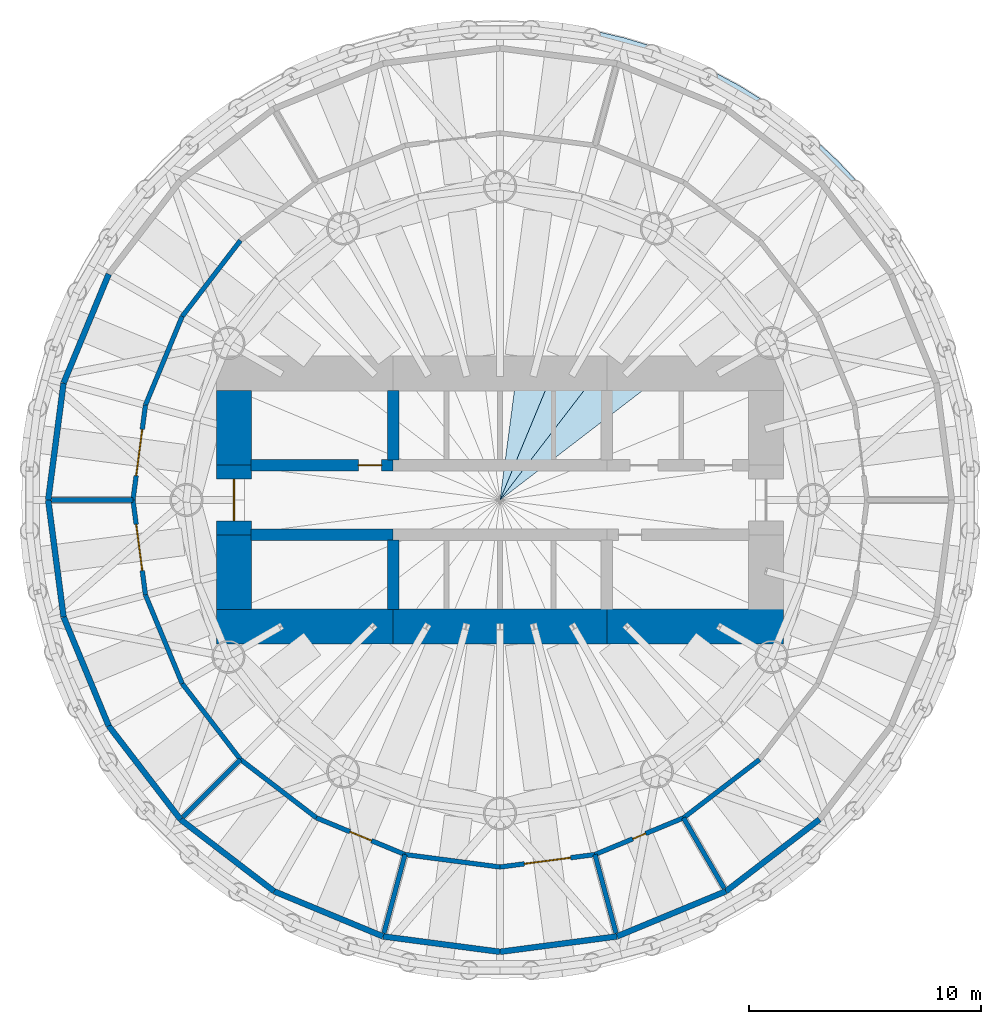
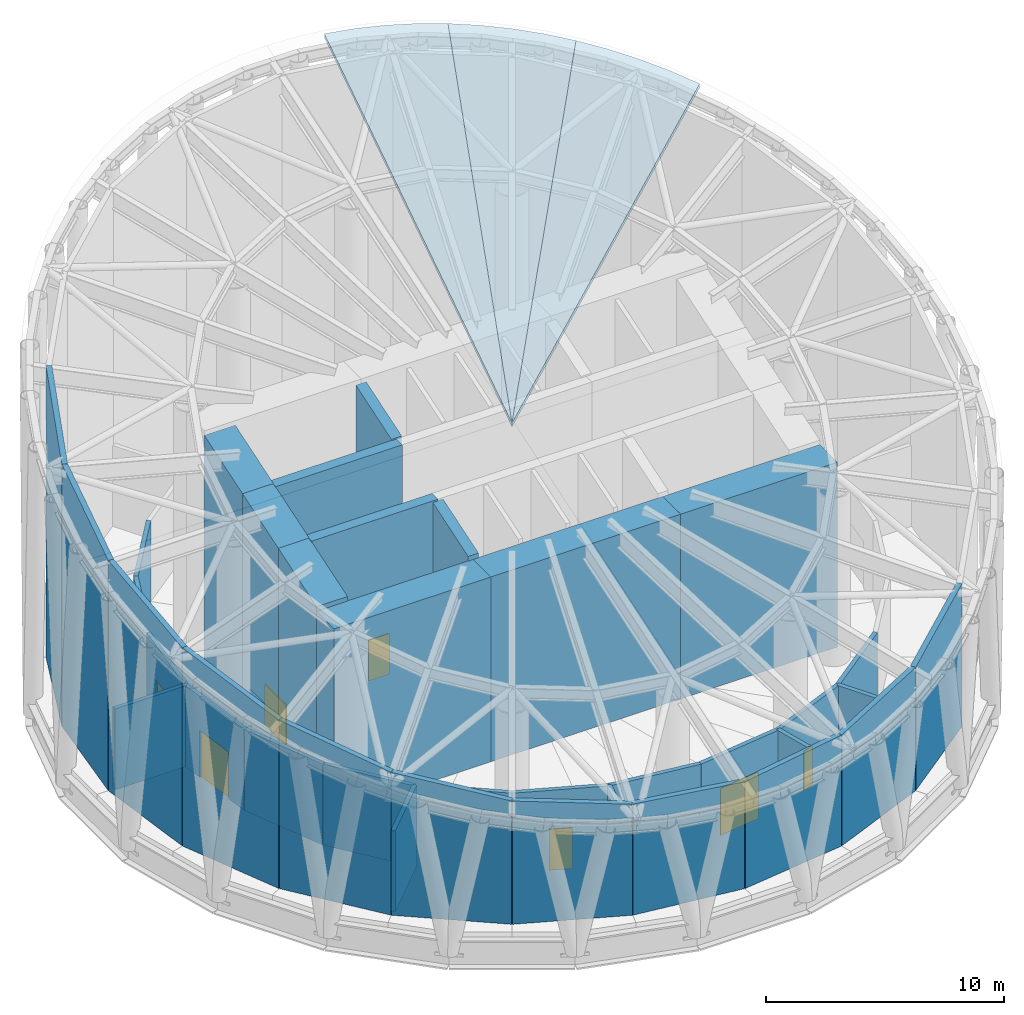
# One storey, part 7 of 9: 38 walls, 7 doors, 3 slabs, 7 openings.
"""IFC4 building model written with IfcOpenShell, lengths in metres."""

from ifc_helpers import new_model, si_unit, direction, frame, frame_2d, origin, place, context, subcontext, project, spatial, polyline, rectangle, outline, extrude, faceted_brep, material, layer, layer_set, type_object, element, fill, save


model = new_model("IFC4")

# Units and contexts
model_context = context("Model", 3, precision=1e-05, world=origin(), true_north=direction((0.0, 1.0)))
body_context = subcontext(model_context, "Body", "Model", "MODEL_VIEW")
ifc_project = project(units=[si_unit("LENGTHUNIT", "METRE"), si_unit("AREAUNIT", "SQUARE_METRE"), si_unit("VOLUMEUNIT", "CUBIC_METRE"), si_unit("PLANEANGLEUNIT", "RADIAN"), si_unit("MASSUNIT", "GRAM", prefix="KILO")], contexts=[model_context])

# Site, building, storey
site_placement = place(None, origin())
site = spatial("IfcSite", under=ifc_project, at=site_placement, CompositionType="ELEMENT")
building_placement = place(site_placement, origin())
building = spatial("IfcBuilding", under=site, at=building_placement, Name="Qaws Media Tower", CompositionType="ELEMENT")
storey_placement = place(building_placement, frame((0.0, 0.0, 286.39990234375)))
storey = spatial("IfcBuildingStorey", under=building, at=storey_placement, Name="L66", CompositionType="ELEMENT", Elevation=286.39990234375)

# Slabs
ifc_material_1 = material(Name="Concrete C35/45", Category="concrete")
ifc_layer_1 = layer(ifc_material_1, 0.199951171875)
ifc_layer_set_1 = layer_set([ifc_layer_1], Name="Crown roof slab 200")
slab_type = type_object("IfcSlabType", Name="Crown roof slab 200", PredefinedType="ROOF", material=ifc_layer_set_1)
slab_1_placement = place(storey_placement, origin())
element("IfcSlab", 1, at=slab_1_placement, inside=storey, type_object=slab_type, Name="S6 crown roof panel on R04", PredefinedType="ROOF", context=body_context, shape_type="Brep", body=[
    faceted_brep([(60.0, 50.0, 11.995849609375), (76.343017578125, 62.54052734375, 16.070556640625), (75.48779296875, 63.58251953125, 16.4091796875), (74.56640625, 64.56640625, 16.728759765625), (73.58251953125, 65.48779296875, 17.0283203125), (72.54052734375, 66.343017578125, 17.30615234375), (72.54052734375, 66.343017578125, 17.106201171875), (73.58251953125, 65.48779296875, 16.828369140625), (74.56640625, 64.56640625, 16.52880859375), (75.48779296875, 63.58251953125, 16.209228515625), (76.343017578125, 62.54052734375, 15.87060546875), (60.0, 50.0, 11.7958984375)], [[[0, 1, 2, 3, 4, 5]], [[6, 7, 8, 9, 10, 11]], [[11, 10, 1, 0]], [[10, 9, 2, 1]], [[9, 8, 3, 2]], [[8, 7, 4, 3]], [[7, 6, 5, 4]], [[6, 11, 0, 5]]]),
])
slab_2_placement = place(storey_placement, origin())
element("IfcSlab", 2, at=slab_2_placement, inside=storey, type_object=slab_type, Name="S6 crown roof panel on R05", PredefinedType="ROOF", context=body_context, shape_type="Brep", body=[
    faceted_brep([(60.0, 50.0, 11.995849609375), (72.54052734375, 66.343017578125, 17.30615234375), (71.44482421875, 67.128173828125, 17.561279296875), (70.300048828125, 67.840087890625, 17.79248046875), (69.111083984375, 68.4755859375, 17.9990234375), (67.88330078125, 69.031982421875, 18.179931640625), (67.88330078125, 69.031982421875, 17.97998046875), (69.111083984375, 68.4755859375, 17.799072265625), (70.300048828125, 67.840087890625, 17.592529296875), (71.44482421875, 67.128173828125, 17.361328125), (72.54052734375, 66.343017578125, 17.106201171875), (60.0, 50.0, 11.7958984375)], [[[0, 1, 2, 3, 4, 5]], [[6, 7, 8, 9, 10, 11]], [[11, 10, 1, 0]], [[10, 9, 2, 1]], [[9, 8, 3, 2]], [[8, 7, 4, 3]], [[7, 6, 5, 4]], [[6, 11, 0, 5]]]),
])
slab_3_placement = place(storey_placement, origin())
element("IfcSlab", 3, at=slab_3_placement, inside=storey, type_object=slab_type, Name="S6 crown roof panel on R06", PredefinedType="ROOF", context=body_context, shape_type="Brep", body=[
    faceted_brep([(60.0, 50.0, 11.995849609375), (67.88330078125, 69.031982421875, 18.179931640625), (66.62158203125, 69.5068359375, 18.333984375), (65.331787109375, 69.898193359375, 18.461181640625), (64.018798828125, 70.2041015625, 18.560791015625), (62.688720703125, 70.423828125, 18.632080078125), (62.688720703125, 70.423828125, 18.43212890625), (64.018798828125, 70.2041015625, 18.36083984375), (65.331787109375, 69.898193359375, 18.26123046875), (66.62158203125, 69.5068359375, 18.134033203125), (67.88330078125, 69.031982421875, 17.97998046875), (60.0, 50.0, 11.7958984375)], [[[0, 1, 2, 3, 4, 5]], [[6, 7, 8, 9, 10, 11]], [[11, 10, 1, 0]], [[10, 9, 2, 1]], [[9, 8, 3, 2]], [[8, 7, 4, 3]], [[7, 6, 5, 4]], [[6, 11, 0, 5]]]),
])

# Wall, opening, door
ifc_material_2 = material(Name="Concrete C60/75", Category="concrete")
ifc_layer_2 = layer(ifc_material_2, 0.5)
ifc_layer_set_2 = layer_set([ifc_layer_2], Name="Core inner wall 500")
wall_type_1 = type_object("IfcWallType", Name="Core inner wall 500", PredefinedType="SHEAR", material=ifc_layer_set_2)
wall_1_placement = place(storey_placement, frame((49.280029296875, 51.5, 0.0), z_axis=(0.0, 0.0, 1.0), x_axis=(1.0, 0.0, 0.0)))
wall_1 = element("IfcWall", 4, at=wall_1_placement, inside=storey, type_object=wall_type_1, Name="W355 SW12 core wall SPNW L66", PredefinedType="SHEAR", context=body_context, shape_type="SweptSolid", body=[
    extrude(outline(polyline([(0.0, 0.0), (6.119873046875, 0.0), (6.1201171875, 11.7333984375), (0.0, 11.7333984375), (0.0, 0.0)])), frame((0.0, 0.25, 0.0), z_axis=(0.0, -1.0, 0.0), x_axis=(1.0, 0.0, 0.0)), (0.0, 0.0, 1.0), 0.5),
])
opening_1_placement = place(wall_1_placement, frame((4.6201171875, 0.0, 0.0)))
opening_1 = element("IfcOpeningElement", 5, at=opening_1_placement, cuts=wall_1, Name="Opening D1", PredefinedType="OPENING", context=body_context, shape_type="SweptSolid", body=[
    extrude(rectangle(XDim=1.0, YDim=2.10009765625, at=frame_2d((0.5, 1.050048828125))), frame((0.0, 0.260009765625, 0.0), z_axis=(0.0, -1.0, 0.0), x_axis=(1.0, 0.0, 0.0)), (0.0, 0.0, 1.0), 0.52001953125),
])
ifc_material_3 = material(Name="Steel, fire rated", Category="steel")
door_type_1 = type_object("IfcDoorType", Name="Stair door 1000 FD120", OperationType="SINGLE_SWING_LEFT", PredefinedType="DOOR", material=ifc_material_3)
door_1_placement = place(opening_1_placement, origin())
door_1 = element("IfcDoor", 6, at=door_1_placement, inside=storey, type_object=door_type_1, Name="D1 stair S1 door L66 in wall W355", OperationType="SINGLE_SWING_LEFT", OverallHeight=2.10009765625, OverallWidth=1.0, PredefinedType="DOOR", context=body_context, shape_type="SweptSolid", body=[
    extrude(rectangle(XDim=1.0, YDim=2.10009765625, at=frame_2d((0.5, 1.050048828125))), frame((0.0, 0.02490234375, 0.0), z_axis=(0.0, -1.0, 0.0), x_axis=(1.0, 0.0, 0.0)), (0.0, 0.0, 1.0), 0.050048828125),
])
fill(opening_1, door_1)

# Walls
wall_2_placement = place(storey_placement, frame((49.280029296875, 48.5, 0.0), z_axis=(0.0, 0.0, 1.0), x_axis=(1.0, 0.0, 0.0)))
element("IfcWall", 7, at=wall_2_placement, inside=storey, type_object=wall_type_1, Name="W354 SW12 core wall SPSW L66", PredefinedType="SHEAR", context=body_context, shape_type="SweptSolid", body=[
    extrude(outline(polyline([(0.0, 0.0), (6.119873046875, 0.0), (6.1201171875, 10.758544921875), (0.0, 10.758544921875), (0.0, 0.0)])), frame((0.0, 0.25, 0.0), z_axis=(0.0, -1.0, 0.0), x_axis=(1.0, 0.0, 0.0)), (0.0, 0.0, 1.0), 0.5),
])
wall_3_placement = place(storey_placement, frame((55.39990234375, 51.72998046875, 0.0), z_axis=(0.0, 0.0, 1.0), x_axis=(0.0, 1.0, 0.0)))
element("IfcWall", 8, at=wall_3_placement, inside=storey, type_object=wall_type_1, Name="W359 SW12 core wall XNW L66", PredefinedType="SHEAR", context=body_context, shape_type="SweptSolid", body=[
    extrude(outline(polyline([(0.0, 0.0), (2.989990234375, 0.0), (2.989990234375, 12.779541015625), (0.0, 11.80810546875), (0.0, 0.0)])), frame((0.0, 0.25, 0.0), z_axis=(0.0, -1.0, 0.0), x_axis=(1.0, 0.0, 0.0)), (0.0, 0.0, 1.0), 0.5),
])
wall_4_placement = place(storey_placement, frame((55.39990234375, 48.27001953125, 0.0), z_axis=(0.0, 0.0, 1.0), x_axis=(0.0, -1.0, 0.0)))
element("IfcWall", 9, at=wall_4_placement, inside=storey, type_object=wall_type_1, Name="W356 SW12 core wall XSW L66", PredefinedType="SHEAR", context=body_context, shape_type="SweptSolid", body=[
    extrude(outline(polyline([(0.0, 0.0), (2.989990234375, 0.0), (2.989990234375, 9.71240234375), (0.0, 10.683837890625), (0.0, 0.0)])), frame((0.0, 0.25, 0.0), z_axis=(0.0, -1.0, 0.0), x_axis=(1.0, 0.0, 0.0)), (0.0, 0.0, 1.0), 0.5),
])
ifc_material_4 = material(Name="Concrete C60/75", Category="concrete")
ifc_layer_3 = layer(ifc_material_4, 1.5)
ifc_layer_set_3 = layer_set([ifc_layer_3], Name="Core wall 1500")
wall_type_2 = type_object("IfcWallType", Name="Core wall 1500", PredefinedType="SHEAR", material=ifc_layer_set_3)
wall_5_placement = place(storey_placement, frame((47.800048828125, 44.550048828125, 0.0), z_axis=(0.0, 0.0, 1.0), x_axis=(1.0, 0.0, 0.0)))
element("IfcWall", 10, at=wall_5_placement, inside=storey, type_object=wall_type_2, Name="W386 SW13 core wall SW L66", PredefinedType="SHEAR", context=body_context, shape_type="SweptSolid", body=[
    extrude(outline(polyline([(0.0, 0.0), (7.599853515625, 0.0), (7.60009765625, 9.47509765625), (0.0, 9.47509765625), (0.0, 0.0)])), frame((0.0, 0.75, 0.0), z_axis=(0.0, -1.0, 0.0), x_axis=(1.0, 0.0, 0.0)), (0.0, 0.0, 1.0), 1.5),
])
wall_6_placement = place(storey_placement, frame((55.39990234375, 44.550048828125, 0.0), z_axis=(0.0, 0.0, 1.0), x_axis=(1.0, 0.0, 0.0)))
element("IfcWall", 11, at=wall_6_placement, inside=storey, type_object=wall_type_2, Name="W391 SW13 core wall S L66", PredefinedType="SHEAR", context=body_context, shape_type="SweptSolid", body=[
    extrude(outline(polyline([(0.0, 0.0), (9.2001953125, 0.0), (9.199951171875, 9.47509765625), (0.0, 9.47509765625), (0.0, 0.0)])), frame((0.0, 0.75, 0.0), z_axis=(0.0, -1.0, 0.0), x_axis=(1.0, 0.0, 0.0)), (0.0, 0.0, 1.0), 1.5),
])
wall_7_placement = place(storey_placement, frame((64.60009765625, 44.550048828125, 0.0), z_axis=(0.0, 0.0, 1.0), x_axis=(1.0, 0.0, 0.0)))
element("IfcWall", 12, at=wall_7_placement, inside=storey, type_object=wall_type_2, Name="W393 SW13 core wall SE L66", PredefinedType="SHEAR", context=body_context, shape_type="SweptSolid", body=[
    extrude(outline(polyline([(0.0, 0.0), (7.599853515625, 0.0), (7.60009765625, 9.47509765625), (0.0, 9.47509765625), (0.0, 0.0)])), frame((0.0, 0.75, 0.0), z_axis=(0.0, -1.0, 0.0), x_axis=(1.0, 0.0, 0.0)), (0.0, 0.0, 1.0), 1.5),
])
wall_8_placement = place(storey_placement, frame((48.550048828125, 45.280029296875, 0.0), z_axis=(0.0, 0.0, 1.0), x_axis=(0.0, 1.0, 0.0)))
element("IfcWall", 13, at=wall_8_placement, inside=storey, type_object=wall_type_2, Name="W388 SW13 core wall WS L66", PredefinedType="SHEAR", context=body_context, shape_type="SweptSolid", body=[
    extrude(outline(polyline([(0.0, 0.0), (3.219970703125, 0.0), (3.219970703125, 10.758544921875), (0.0, 9.71240234375), (0.0, 0.0)])), frame((0.0, 0.75, 0.0), z_axis=(0.0, -1.0, 0.0), x_axis=(1.0, 0.0, 0.0)), (0.0, 0.0, 1.0), 1.5),
])

# Wall, opening, door
wall_9_placement = place(storey_placement, frame((48.550048828125, 48.5, 0.0), z_axis=(0.0, 0.0, 1.0), x_axis=(0.0, 1.0, 0.0)))
wall_9 = element("IfcWall", 14, at=wall_9_placement, inside=storey, type_object=wall_type_2, Name="W389 SW13 core wall W L66", PredefinedType="SHEAR", context=body_context, shape_type="SweptSolid", body=[
    extrude(outline(polyline([(0.0, 0.0), (3.0, 0.0), (3.0, 11.7333984375), (0.0, 10.758544921875), (0.0, 0.0)])), frame((0.0, 0.75, 0.0), z_axis=(0.0, -1.0, 0.0), x_axis=(1.0, 0.0, 0.0)), (0.0, 0.0, 1.0), 1.5),
])
opening_2_placement = place(wall_9_placement, frame((0.60009765625, 0.0, 0.0)))
opening_2 = element("IfcOpeningElement", 15, at=opening_2_placement, cuts=wall_9, Name="Opening D2", PredefinedType="OPENING", context=body_context, shape_type="SweptSolid", body=[
    extrude(rectangle(XDim=1.800048828125, YDim=2.10009765625, at=frame_2d((0.89990234375, 1.050048828125))), frame((0.0, 0.760009765625, 0.0), z_axis=(0.0, -1.0, 0.0), x_axis=(1.0, 0.0, 0.0)), (0.0, 0.0, 1.0), 1.52001953125),
])
ifc_material_5 = material(Name="Steel and glass, fire rated", Category="steel")
door_type_2 = type_object("IfcDoorType", Name="Lobby door pair 1800 FD60", OperationType="DOUBLE_DOOR_DOUBLE_SWING", PredefinedType="DOOR", material=ifc_material_5)
door_2_placement = place(opening_2_placement, origin())
door_2 = element("IfcDoor", 16, at=door_2_placement, inside=storey, type_object=door_type_2, Name="D2 core lobby door W L66 in wall W389", OperationType="DOUBLE_DOOR_DOUBLE_SWING", OverallHeight=2.10009765625, OverallWidth=1.800048828125, PredefinedType="DOOR", context=body_context, shape_type="SweptSolid", body=[
    extrude(rectangle(XDim=1.800048828125, YDim=2.10009765625, at=frame_2d((0.89990234375, 1.050048828125))), frame((0.0, 0.02490234375, 0.0), z_axis=(0.0, -1.0, 0.0), x_axis=(1.0, 0.0, 0.0)), (0.0, 0.0, 1.0), 0.050048828125),
])
fill(opening_2, door_2)

# Walls
wall_10_placement = place(storey_placement, frame((48.550048828125, 51.5, 0.0), z_axis=(0.0, 0.0, 1.0), x_axis=(0.0, 1.0, 0.0)))
element("IfcWall", 17, at=wall_10_placement, inside=storey, type_object=wall_type_2, Name="W390 SW13 core wall WN L66", PredefinedType="SHEAR", context=body_context, shape_type="SweptSolid", body=[
    extrude(outline(polyline([(0.0, 0.0), (3.219970703125, 0.0), (3.219970703125, 12.779541015625), (0.0, 11.7333984375), (0.0, 0.0)])), frame((0.0, 0.75, 0.0), z_axis=(0.0, -1.0, 0.0), x_axis=(1.0, 0.0, 0.0)), (0.0, 0.0, 1.0), 1.5),
])
ifc_material_6 = material(Name="Precast concrete louvre panels", Category="concrete")
ifc_layer_4 = layer(ifc_material_6, 0.25)
ifc_layer_set_4 = layer_set([ifc_layer_4], Name="Crown louvre wall 250")
wall_type_3 = type_object("IfcWallType", Name="Crown louvre wall 250", PredefinedType="SOLIDWALL", material=ifc_layer_set_4)
wall_11_placement = place(storey_placement, frame((43.15576171875, 59.72509765625, 0.0), z_axis=(0.0, 0.0, 1.0), x_axis=(-0.382678770184, -0.923881463636, 0.0)))
element("IfcWall", 18, at=wall_11_placement, inside=storey, type_object=wall_type_3, Name="W494 EW3 crown louvre wall 11", PredefinedType="SOLIDWALL", context=body_context, shape_type="SweptSolid", body=[
    extrude(outline(polyline([(0.0, 0.0), (5.07763671875, 0.0), (5.077392578125, 13.431640625), (0.0, 14.955810546875), (0.0, 0.0)])), frame((0.0, 0.125, 0.0), z_axis=(0.0, -1.0, 0.0), x_axis=(1.0, 0.0, 0.0)), (0.0, 0.0, 1.0), 0.25),
])
wall_12_placement = place(storey_placement, frame((41.212646484375, 55.033935546875, 0.0), z_axis=(0.0, 0.0, 1.0), x_axis=(-0.130500534482, -0.991448238941, 0.0)))
element("IfcWall", 19, at=wall_12_placement, inside=storey, type_object=wall_type_3, Name="W492 EW3 crown louvre wall 12", PredefinedType="SOLIDWALL", context=body_context, shape_type="SweptSolid", body=[
    extrude(outline(polyline([(0.0, 0.0), (5.077392578125, 0.0), (5.077392578125, 11.7958984375), (0.0, 13.431640625), (0.0, 0.0)])), frame((0.0, 0.125, 0.0), z_axis=(0.0, -1.0, 0.0), x_axis=(1.0, 0.0, 0.0)), (0.0, 0.0, 1.0), 0.25),
])
wall_13_placement = place(storey_placement, frame((40.550048828125, 50.0, 0.0), z_axis=(0.0, 0.0, 1.0), x_axis=(0.130500534482, -0.991448238941, 0.0)))
element("IfcWall", 20, at=wall_13_placement, inside=storey, type_object=wall_type_3, Name="W490 EW3 crown louvre wall 13", PredefinedType="SOLIDWALL", context=body_context, shape_type="SweptSolid", body=[
    extrude(outline(polyline([(0.0, 0.0), (5.077392578125, 0.0), (5.077392578125, 10.160400390625), (0.0, 11.7958984375), (0.0, 0.0)])), frame((0.0, 0.125, 0.0), z_axis=(0.0, -1.0, 0.0), x_axis=(1.0, 0.0, 0.0)), (0.0, 0.0, 1.0), 0.25),
])
wall_14_placement = place(storey_placement, frame((41.212646484375, 44.966064453125, 0.0), z_axis=(0.0, 0.0, 1.0), x_axis=(0.382678770184, -0.923881463636, 0.0)))
element("IfcWall", 21, at=wall_14_placement, inside=storey, type_object=wall_type_3, Name="W491 EW3 crown louvre wall 14", PredefinedType="SOLIDWALL", context=body_context, shape_type="SweptSolid", body=[
    extrude(outline(polyline([(0.0, 0.0), (5.07763671875, 0.0), (5.077392578125, 8.63623046875), (0.0, 10.160400390625), (0.0, 0.0)])), frame((0.0, 0.125, 0.0), z_axis=(0.0, -1.0, 0.0), x_axis=(1.0, 0.0, 0.0)), (0.0, 0.0, 1.0), 0.25),
])
wall_15_placement = place(storey_placement, frame((43.15576171875, 40.27490234375, 0.0), z_axis=(0.0, 0.0, 1.0), x_axis=(0.608787819946, -0.793333089115, 0.0)))
element("IfcWall", 22, at=wall_15_placement, inside=storey, type_object=wall_type_3, Name="W493 EW3 crown louvre wall 15", PredefinedType="SOLIDWALL", context=body_context, shape_type="SweptSolid", body=[
    extrude(outline(polyline([(0.0, 0.0), (5.077392578125, 0.0), (5.077392578125, 7.327392578125), (0.0, 8.63623046875), (0.0, 0.0)])), frame((0.0, 0.125, 0.0), z_axis=(0.0, -1.0, 0.0), x_axis=(1.0, 0.0, 0.0)), (0.0, 0.0, 1.0), 0.25),
])
wall_16_placement = place(storey_placement, frame((46.246826171875, 36.246826171875, 0.0), z_axis=(0.0, 0.0, 1.0), x_axis=(0.793333089115, -0.608787819946, 0.0)))
element("IfcWall", 23, at=wall_16_placement, inside=storey, type_object=wall_type_3, Name="W495 EW3 crown louvre wall 16", PredefinedType="SOLIDWALL", context=body_context, shape_type="SweptSolid", body=[
    extrude(outline(polyline([(0.0, 0.0), (5.077392578125, 0.0), (5.077392578125, 6.322998046875), (0.0, 7.327392578125), (0.0, 0.0)])), frame((0.0, 0.125, 0.0), z_axis=(0.0, -1.0, 0.0), x_axis=(1.0, 0.0, 0.0)), (0.0, 0.0, 1.0), 0.25),
])
wall_17_placement = place(storey_placement, frame((50.27490234375, 33.15576171875, 0.0), z_axis=(0.0, 0.0, 1.0), x_axis=(0.923881463636, -0.382678770184, 0.0)))
element("IfcWall", 24, at=wall_17_placement, inside=storey, type_object=wall_type_3, Name="W497 EW3 crown louvre wall 17", PredefinedType="SOLIDWALL", context=body_context, shape_type="SweptSolid", body=[
    extrude(outline(polyline([(0.0, 0.0), (5.07763671875, 0.0), (5.077392578125, 5.691650390625), (0.0, 6.322998046875), (0.0, 0.0)])), frame((0.0, 0.125, 0.0), z_axis=(0.0, -1.0, 0.0), x_axis=(1.0, 0.0, 0.0)), (0.0, 0.0, 1.0), 0.25),
])
wall_18_placement = place(storey_placement, frame((54.966064453125, 31.212646484375, 0.0), z_axis=(0.0, 0.0, 1.0), x_axis=(0.991448238941, -0.130500534482, 0.0)))
element("IfcWall", 25, at=wall_18_placement, inside=storey, type_object=wall_type_3, Name="W499 EW3 crown louvre wall 18", PredefinedType="SOLIDWALL", context=body_context, shape_type="SweptSolid", body=[
    extrude(outline(polyline([(0.0, 0.0), (5.077392578125, 0.0), (5.077392578125, 5.476318359375), (0.0, 5.691650390625), (0.0, 0.0)])), frame((0.0, 0.125, 0.0), z_axis=(0.0, -1.0, 0.0), x_axis=(1.0, 0.0, 0.0)), (0.0, 0.0, 1.0), 0.25),
])
wall_19_placement = place(storey_placement, frame((60.0, 30.550048828125, 0.0), z_axis=(0.0, 0.0, 1.0), x_axis=(0.991448238941, 0.130500534482, 0.0)))
element("IfcWall", 26, at=wall_19_placement, inside=storey, type_object=wall_type_3, Name="W501 EW3 crown louvre wall 19", PredefinedType="SOLIDWALL", context=body_context, shape_type="SweptSolid", body=[
    extrude(outline(polyline([(0.0, 0.0), (5.077392578125, 0.0), (5.077392578125, 5.691650390625), (0.0, 5.476318359375), (0.0, 0.0)])), frame((0.0, 0.125, 0.0), z_axis=(0.0, -1.0, 0.0), x_axis=(1.0, 0.0, 0.0)), (0.0, 0.0, 1.0), 0.25),
])
wall_20_placement = place(storey_placement, frame((65.033935546875, 31.212646484375, 0.0), z_axis=(0.0, 0.0, 1.0), x_axis=(0.923881463636, 0.382678770184, 0.0)))
element("IfcWall", 27, at=wall_20_placement, inside=storey, type_object=wall_type_3, Name="W503 EW3 crown louvre wall 20", PredefinedType="SOLIDWALL", context=body_context, shape_type="SweptSolid", body=[
    extrude(outline(polyline([(0.0, 0.0), (5.07763671875, 0.0), (5.077392578125, 6.322998046875), (0.0, 5.691650390625), (0.0, 0.0)])), frame((0.0, 0.125, 0.0), z_axis=(0.0, -1.0, 0.0), x_axis=(1.0, 0.0, 0.0)), (0.0, 0.0, 1.0), 0.25),
])
wall_21_placement = place(storey_placement, frame((69.72509765625, 33.15576171875, 0.0), z_axis=(0.0, 0.0, 1.0), x_axis=(0.793333089115, 0.608787819946, 0.0)))
element("IfcWall", 28, at=wall_21_placement, inside=storey, type_object=wall_type_3, Name="W505 EW3 crown louvre wall 21", PredefinedType="SOLIDWALL", context=body_context, shape_type="SweptSolid", body=[
    extrude(outline(polyline([(0.0, 0.0), (5.077392578125, 0.0), (5.077392578125, 7.327392578125), (0.0, 6.322998046875), (0.0, 0.0)])), frame((0.0, 0.125, 0.0), z_axis=(0.0, -1.0, 0.0), x_axis=(1.0, 0.0, 0.0)), (0.0, 0.0, 1.0), 0.25),
])
ifc_material_7 = material(Name="Gypsum board on galvanised metal studs, acoustic double stud, deflection head", Category="gypsum")
ifc_layer_5 = layer(ifc_material_7, 0.199951171875)
ifc_layer_set_5 = layer_set([ifc_layer_5], Name="Room partition 200")
wall_type_4 = type_object("IfcWallType", Name="Room partition 200", PredefinedType="PARTITIONING", material=ifc_layer_set_5)
wall_22_placement = place(storey_placement, frame((46.31689453125, 42.10009765625, 0.0), z_axis=(0.0, 0.0, 1.0), x_axis=(-0.382731667114, 0.923859551549, 0.0)))
element("IfcWall", 29, at=wall_22_placement, inside=storey, type_object=wall_type_4, Name="W1807 IW3 partition L66", PredefinedType="PARTITIONING", context=body_context, shape_type="SweptSolid", body=[
    extrude(rectangle(XDim=4.12451171875, YDim=0.199951171875, at=frame_2d((2.062255859375, 0.0))), origin(), (0.0, 0.0, 1.0), 4.150146484375),
])

# Wall, opening, door
wall_23_placement = place(storey_placement, frame((44.73828125, 45.91064453125, 0.0), z_axis=(0.0, 0.0, 1.0), x_axis=(-0.130515758099, 0.991446234996, 0.0)))
wall_23 = element("IfcWall", 30, at=wall_23_placement, inside=storey, type_object=wall_type_4, Name="W1805 IW3 partition L66", PredefinedType="PARTITIONING", context=body_context, shape_type="SweptSolid", body=[
    extrude(rectangle(XDim=4.124755859375, YDim=0.199951171875, at=frame_2d((2.0625, 0.0))), origin(), (0.0, 0.0, 1.0), 4.150146484375),
])
opening_3_placement = place(wall_23_placement, frame((1.062255859375, 0.0, 0.0)))
opening_3 = element("IfcOpeningElement", 31, at=opening_3_placement, cuts=wall_23, Name="Opening D19", PredefinedType="OPENING", context=body_context, shape_type="SweptSolid", body=[
    extrude(rectangle(XDim=2.0, YDim=2.39990234375, at=frame_2d((1.0, 1.199951171875))), frame((0.0, 0.10986328125, 0.0), z_axis=(0.0, -1.0, 0.0), x_axis=(1.0, 0.0, 0.0)), (0.0, 0.0, 1.0), 0.219970703125),
])
ifc_material_8 = material(Name="Steel, fire rated, louvred", Category="steel")
door_type_3 = type_object("IfcDoorType", Name="Plant room door pair 2000x2400", OperationType="DOUBLE_DOOR_DOUBLE_SWING", PredefinedType="DOOR", material=ifc_material_8)
door_3_placement = place(opening_3_placement, origin())
door_3 = element("IfcDoor", 32, at=door_3_placement, inside=storey, type_object=door_type_3, Name="D19 BMU plant room door L66 in wall W1805", OperationType="DOUBLE_DOOR_DOUBLE_SWING", OverallHeight=2.39990234375, OverallWidth=2.0, PredefinedType="DOOR", context=body_context, shape_type="SweptSolid", body=[
    extrude(rectangle(XDim=2.0, YDim=2.39990234375, at=frame_2d((1.0, 1.199951171875))), frame((0.0, 0.02490234375, 0.0), z_axis=(0.0, -1.0, 0.0), x_axis=(1.0, 0.0, 0.0)), (0.0, 0.0, 1.0), 0.050048828125),
])
fill(opening_3, door_3)

wall_24_placement = place(storey_placement, frame((44.199951171875, 50.0, 0.0), z_axis=(0.0, 0.0, 1.0), x_axis=(0.130515758099, 0.991446234996, 0.0)))
wall_24 = element("IfcWall", 33, at=wall_24_placement, inside=storey, type_object=wall_type_4, Name="W1804 IW3 partition L66", PredefinedType="PARTITIONING", context=body_context, shape_type="SweptSolid", body=[
    extrude(rectangle(XDim=4.124755859375, YDim=0.199951171875, at=frame_2d((2.0625, 0.0))), origin(), (0.0, 0.0, 1.0), 4.150146484375),
])
opening_4_placement = place(wall_24_placement, frame((1.062255859375, 0.0, 0.0)))
opening_4 = element("IfcOpeningElement", 34, at=opening_4_placement, cuts=wall_24, Name="Opening D19", PredefinedType="OPENING", context=body_context, shape_type="SweptSolid", body=[
    extrude(rectangle(XDim=2.0, YDim=2.39990234375, at=frame_2d((1.0, 1.199951171875))), frame((0.0, 0.10986328125, 0.0), z_axis=(0.0, -1.0, 0.0), x_axis=(1.0, 0.0, 0.0)), (0.0, 0.0, 1.0), 0.219970703125),
])
door_4_placement = place(opening_4_placement, origin())
door_4 = element("IfcDoor", 35, at=door_4_placement, inside=storey, type_object=door_type_3, Name="D19 Water tank plant room door L66 in wall W1804", OperationType="DOUBLE_DOOR_DOUBLE_SWING", OverallHeight=2.39990234375, OverallWidth=2.0, PredefinedType="DOOR", context=body_context, shape_type="SweptSolid", body=[
    extrude(rectangle(XDim=2.0, YDim=2.39990234375, at=frame_2d((1.0, 1.199951171875))), frame((0.0, 0.02490234375, 0.0), z_axis=(0.0, -1.0, 0.0), x_axis=(1.0, 0.0, 0.0)), (0.0, 0.0, 1.0), 0.050048828125),
])
fill(opening_4, door_4)

# Walls
wall_25_placement = place(storey_placement, frame((44.73828125, 54.08935546875, 0.0), z_axis=(0.0, 0.0, 1.0), x_axis=(0.382731667114, 0.923859551549, 0.0)))
element("IfcWall", 36, at=wall_25_placement, inside=storey, type_object=wall_type_4, Name="W1806 IW3 partition L66", PredefinedType="PARTITIONING", context=body_context, shape_type="SweptSolid", body=[
    extrude(rectangle(XDim=4.12451171875, YDim=0.199951171875, at=frame_2d((2.062255859375, 0.0))), origin(), (0.0, 0.0, 1.0), 4.150146484375),
])
for number, where, z_axis, x_axis, name in (
    (37, (46.31689453125, 57.89990234375, 0.0), (0.0, 0.0, 1.0), (0.608714823874, 0.793389099494, 0.0), "W1808 IW3 partition L66"),
    (38, (71.17236328125, 38.82763671875, 0.0), (0.0, 0.0, 1.0), (-0.793389099494, -0.608714823874, 0.0), "W1827 IW3 partition L66"),
):
    element("IfcWall", number, at=place(storey_placement, frame(where, z_axis=z_axis, x_axis=x_axis)), inside=storey, type_object=wall_type_4, Name=name, PredefinedType="PARTITIONING", context=body_context, shape_type="SweptSolid", body=[
        extrude(rectangle(XDim=4.124755859375, YDim=0.199951171875, at=frame_2d((2.0625, 0.0))), origin(), (0.0, 0.0, 1.0), 4.150146484375),
    ])

# Wall, opening, door
wall_26_placement = place(storey_placement, frame((67.89990234375, 36.31689453125, 0.0), z_axis=(0.0, 0.0, 1.0), x_axis=(-0.923859551549, -0.382731667114, 0.0)))
wall_26 = element("IfcWall", 39, at=wall_26_placement, inside=storey, type_object=wall_type_4, Name="W1824 IW3 partition L66", PredefinedType="PARTITIONING", context=body_context, shape_type="SweptSolid", body=[
    extrude(rectangle(XDim=4.12451171875, YDim=0.199951171875, at=frame_2d((2.062255859375, 0.0))), origin(), (0.0, 0.0, 1.0), 4.150146484375),
])
opening_5_placement = place(wall_26_placement, frame((1.76220703125, 0.0, 0.0)))
opening_5 = element("IfcOpeningElement", 40, at=opening_5_placement, cuts=wall_26, Name="Opening D24", PredefinedType="OPENING", context=body_context, shape_type="SweptSolid", body=[
    extrude(rectangle(XDim=0.60009765625, YDim=2.0, at=frame_2d((0.300048828125, 1.0))), frame((0.0, 0.10986328125, 0.0), z_axis=(0.0, -1.0, 0.0), x_axis=(1.0, 0.0, 0.0)), (0.0, 0.0, 1.0), 0.219970703125),
])
ifc_material_9 = material(Name="Steel, fire rated, lockable", Category="steel")
door_type_4 = type_object("IfcDoorType", Name="Riser access door 600x2000", OperationType="SINGLE_SWING_LEFT", PredefinedType="DOOR", material=ifc_material_9)
door_5_placement = place(opening_5_placement, origin())
door_5 = element("IfcDoor", 41, at=door_5_placement, inside=storey, type_object=door_type_4, Name="D24 Riser room door L66 in wall W1824", OperationType="SINGLE_SWING_LEFT", OverallHeight=2.0, OverallWidth=0.60009765625, PredefinedType="DOOR", context=body_context, shape_type="SweptSolid", body=[
    extrude(rectangle(XDim=0.60009765625, YDim=2.0, at=frame_2d((0.300048828125, 1.0))), frame((0.0, 0.02490234375, 0.0), z_axis=(0.0, -1.0, 0.0), x_axis=(1.0, 0.0, 0.0)), (0.0, 0.0, 1.0), 0.050048828125),
])
fill(opening_5, door_5)

wall_27_placement = place(storey_placement, frame((64.08935546875, 34.73828125, 0.0), z_axis=(0.0, 0.0, 1.0), x_axis=(-0.991446234996, -0.130515758099, 0.0)))
wall_27 = element("IfcWall", 42, at=wall_27_placement, inside=storey, type_object=wall_type_4, Name="W1820 IW3 partition L66", PredefinedType="PARTITIONING", context=body_context, shape_type="SweptSolid", body=[
    extrude(rectangle(XDim=4.124755859375, YDim=0.199951171875, at=frame_2d((2.0625, 0.0))), origin(), (0.0, 0.0, 1.0), 4.150146484375),
])
opening_6_placement = place(wall_27_placement, frame((1.062255859375, 0.0, 0.0)))
opening_6 = element("IfcOpeningElement", 43, at=opening_6_placement, cuts=wall_27, Name="Opening D19", PredefinedType="OPENING", context=body_context, shape_type="SweptSolid", body=[
    extrude(rectangle(XDim=2.0, YDim=2.39990234375, at=frame_2d((1.0, 1.199951171875))), frame((0.0, 0.10986328125, 0.0), z_axis=(0.0, -1.0, 0.0), x_axis=(1.0, 0.0, 0.0)), (0.0, 0.0, 1.0), 0.219970703125),
])
door_6_placement = place(opening_6_placement, origin())
door_6 = element("IfcDoor", 44, at=door_6_placement, inside=storey, type_object=door_type_3, Name="D19 Sprinkler pump room door L66 in wall W1820", OperationType="DOUBLE_DOOR_DOUBLE_SWING", OverallHeight=2.39990234375, OverallWidth=2.0, PredefinedType="DOOR", context=body_context, shape_type="SweptSolid", body=[
    extrude(rectangle(XDim=2.0, YDim=2.39990234375, at=frame_2d((1.0, 1.199951171875))), frame((0.0, 0.02490234375, 0.0), z_axis=(0.0, -1.0, 0.0), x_axis=(1.0, 0.0, 0.0)), (0.0, 0.0, 1.0), 0.050048828125),
])
fill(opening_6, door_6)

# Wall
wall_28_placement = place(storey_placement, frame((60.0, 34.199951171875, 0.0), z_axis=(0.0, 0.0, 1.0), x_axis=(-0.991446234996, 0.130515758099, 0.0)))
element("IfcWall", 45, at=wall_28_placement, inside=storey, type_object=wall_type_4, Name="W1818 IW3 partition L66", PredefinedType="PARTITIONING", context=body_context, shape_type="SweptSolid", body=[
    extrude(rectangle(XDim=4.124755859375, YDim=0.199951171875, at=frame_2d((2.0625, 0.0))), origin(), (0.0, 0.0, 1.0), 4.150146484375),
])

# Wall, opening, door
wall_29_placement = place(storey_placement, frame((55.91064453125, 34.73828125, 0.0), z_axis=(0.0, 0.0, 1.0), x_axis=(-0.923859551549, 0.382731667114, 0.0)))
wall_29 = element("IfcWall", 46, at=wall_29_placement, inside=storey, type_object=wall_type_4, Name="W1815 IW3 partition L66", PredefinedType="PARTITIONING", context=body_context, shape_type="SweptSolid", body=[
    extrude(rectangle(XDim=4.12451171875, YDim=0.199951171875, at=frame_2d((2.062255859375, 0.0))), origin(), (0.0, 0.0, 1.0), 4.150146484375),
])
opening_7_placement = place(wall_29_placement, frame((1.562255859375, 0.0, 0.0)))
opening_7 = element("IfcOpeningElement", 47, at=opening_7_placement, cuts=wall_29, Name="Opening D5", PredefinedType="OPENING", context=body_context, shape_type="SweptSolid", body=[
    extrude(rectangle(XDim=1.0, YDim=2.10009765625, at=frame_2d((0.5, 1.050048828125))), frame((0.0, 0.10986328125, 0.0), z_axis=(0.0, -1.0, 0.0), x_axis=(1.0, 0.0, 0.0)), (0.0, 0.0, 1.0), 0.219970703125),
])
ifc_material_10 = material(Name="Timber veneered, acoustic seal", Category="wood")
door_type_5 = type_object("IfcDoorType", Name="Room door 1000", OperationType="SINGLE_SWING_LEFT", PredefinedType="DOOR", material=ifc_material_10)
door_7_placement = place(opening_7_placement, origin())
door_7 = element("IfcDoor", 48, at=door_7_placement, inside=storey, type_object=door_type_5, Name="D5 Electrical switch room door L66 in wall W1815", OperationType="SINGLE_SWING_LEFT", OverallHeight=2.10009765625, OverallWidth=1.0, PredefinedType="DOOR", context=body_context, shape_type="SweptSolid", body=[
    extrude(rectangle(XDim=1.0, YDim=2.10009765625, at=frame_2d((0.5, 1.050048828125))), frame((0.0, 0.02490234375, 0.0), z_axis=(0.0, -1.0, 0.0), x_axis=(1.0, 0.0, 0.0)), (0.0, 0.0, 1.0), 0.050048828125),
])
fill(opening_7, door_7)

# Walls
for number, where, z_axis, x_axis, name in (
    (49, (52.10009765625, 36.31689453125, 0.0), (0.0, 0.0, 1.0), (-0.793389099494, 0.608714823874, 0.0), "W1812 IW3 partition L66"),
    (50, (48.82763671875, 38.82763671875, 0.0), (0.0, 0.0, 1.0), (-0.608714823874, 0.793389099494, 0.0), "W1809 IW3 partition L66"),
):
    element("IfcWall", number, at=place(storey_placement, frame(where, z_axis=z_axis, x_axis=x_axis)), inside=storey, type_object=wall_type_4, Name=name, PredefinedType="PARTITIONING", context=body_context, shape_type="SweptSolid", body=[
        extrude(rectangle(XDim=4.124755859375, YDim=0.199951171875, at=frame_2d((2.0625, 0.0))), origin(), (0.0, 0.0, 1.0), 4.150146484375),
    ])
for number, where, z_axis, x_axis, name in (
    (51, (44.199951171875, 50.0, 0.0), (0.0, 0.0, 1.0), (-1.0, 0.0, 0.0), "W1803 IW3 partition L66"),
    (52, (48.82763671875, 38.82763671875, 0.0), (0.0, 0.0, 1.0), (-0.707106781187, -0.707106781187, 0.0), "W1810 IW3 partition L66"),
    (53, (55.91064453125, 34.73828125, 0.0), (0.0, 0.0, 1.0), (-0.258841697179, -0.965919756399, 0.0), "W1816 IW3 partition L66"),
    (54, (64.08935546875, 34.73828125, 0.0), (0.0, 0.0, 1.0), (0.258841697179, -0.965919756399, 0.0), "W1821 IW3 partition L66"),
):
    element("IfcWall", number, at=place(storey_placement, frame(where, z_axis=z_axis, x_axis=x_axis)), inside=storey, type_object=wall_type_4, Name=name, PredefinedType="PARTITIONING", context=body_context, shape_type="SweptSolid", body=[
        extrude(rectangle(XDim=3.5048828125, YDim=0.199951171875, at=frame_2d((1.75244140625, 0.0))), origin(), (0.0, 0.0, 1.0), 4.150146484375),
    ])
wall_30_placement = place(storey_placement, frame((67.89990234375, 36.31689453125, 0.0), z_axis=(0.0, 0.0, 1.0), x_axis=(0.500042005822, -0.866001150353, 0.0)))
element("IfcWall", 55, at=wall_30_placement, inside=storey, type_object=wall_type_4, Name="W1825 IW3 partition L66", PredefinedType="PARTITIONING", context=body_context, shape_type="SweptSolid", body=[
    extrude(rectangle(XDim=3.505126953125, YDim=0.199951171875, at=frame_2d((1.75244140625, 0.0))), origin(), (0.0, 0.0, 1.0), 4.150146484375),
])

save(model, "model.ifc")
